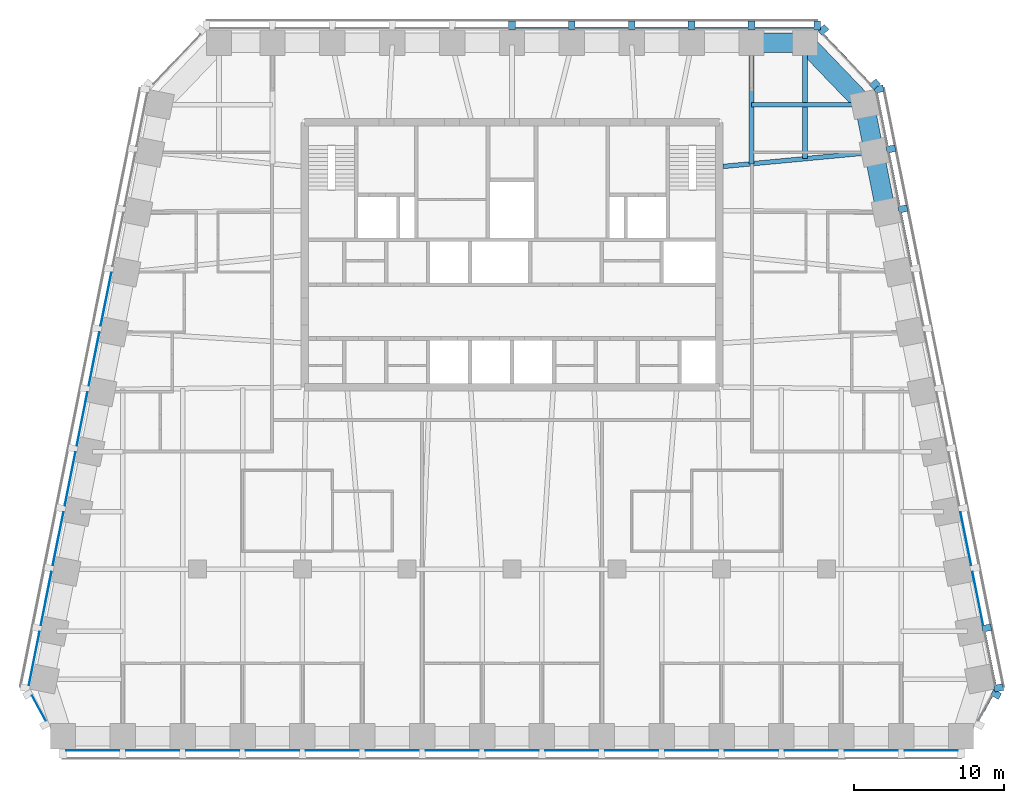
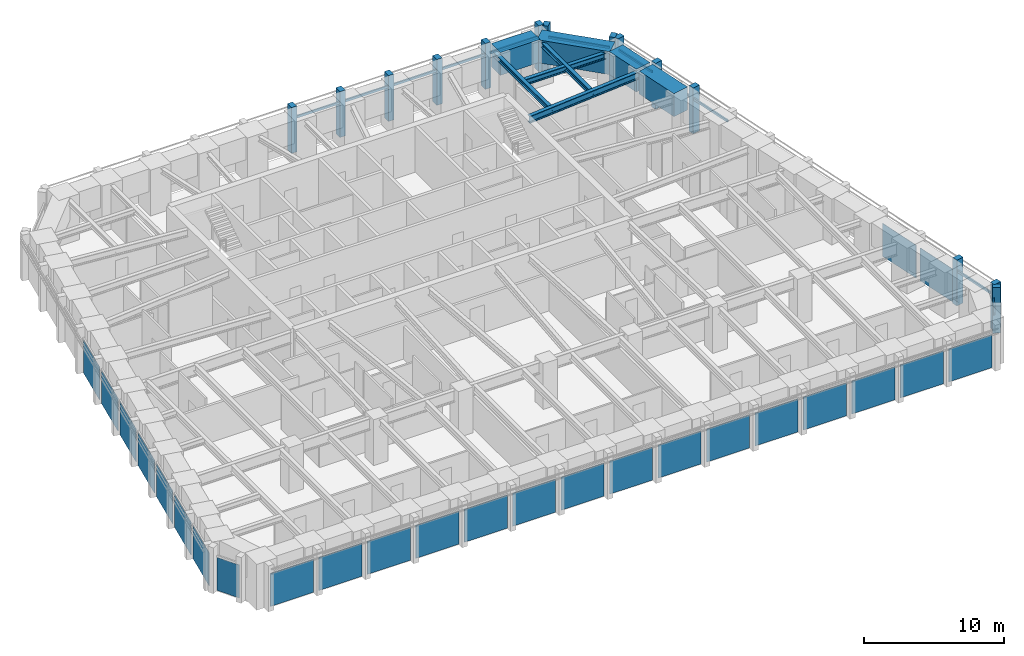
# One storey, part 4 of 11: 25 members, 25 plates, 8 beams, 7 elements without a shape of their own.
"""IFC4 building model written with IfcOpenShell, lengths in metres."""

from ifc_helpers import new_model, si_unit, direction, frame, origin, origin_2d, place, context, subcontext, project, spatial, rectangle, i_section, extrude, material, layer, layer_set, material_profile, profile_set, type_object, element, aggregate, save


model = new_model("IFC4")

# Units and contexts
model_context = context("Model", 3, precision=1e-05, world=origin(), true_north=direction((0.0, 1.0)))
body_context = subcontext(model_context, "Body", "Model", "MODEL_VIEW")
ifc_project = project(units=[si_unit("LENGTHUNIT", "METRE"), si_unit("AREAUNIT", "SQUARE_METRE"), si_unit("VOLUMEUNIT", "CUBIC_METRE"), si_unit("PLANEANGLEUNIT", "RADIAN"), si_unit("MASSUNIT", "GRAM", prefix="KILO")], contexts=[model_context])

# Site, building, storey
site_placement = place(None, origin())
site = spatial("IfcSite", under=ifc_project, at=site_placement, CompositionType="ELEMENT")
building_placement = place(site_placement, origin())
building = spatial("IfcBuilding", under=site, at=building_placement, Name="Isbrekke Arena Tower", CompositionType="ELEMENT")
storey_placement = place(building_placement, frame((0.0, 0.0, 252.0)))
storey = spatial("IfcBuildingStorey", under=building, at=storey_placement, Name="L58", CompositionType="ELEMENT", Elevation=252.0)

# Beams
ifc_material_1 = material(Name="Steel S355", Category="steel")
ifc_material_profile_1 = material_profile(ifc_material_1, i_section(OverallWidth=0.304931640625, OverallDepth=0.6201171875, WebThickness=0.02099609375, FlangeThickness=0.0400390625, FilletRadius=0.027099609375, at=origin_2d()), Name="HEM 600")
ifc_profile_set_1 = profile_set([ifc_material_profile_1], Name="Steel S355")
beam_type_1 = type_object("IfcBeamType", Name="B4 HEM 600", PredefinedType="BEAM", material=ifc_profile_set_1)
beam_1_placement = place(storey_placement, frame((24.02685546875, 21.8369140625, 3.5400390625), z_axis=(-0.995574576627, -0.093974796485, 0.0), x_axis=(0.093974796485, -0.995574576627, 0.0)))
element("IfcBeam", 1, at=beam_1_placement, inside=storey, type_object=beam_type_1, Name="B4 beam E-E10 L58", PredefinedType="BEAM", context=body_context, shape_type="SweptSolid", body=[
    extrude(i_section(OverallWidth=0.304931640625, OverallDepth=0.6201171875, WebThickness=0.02099609375, FlangeThickness=0.0400390625, FilletRadius=0.027099609375, at=origin_2d()), origin(), (0.0, 0.0, 1.0), 9.970947265625),
])
ifc_material_2 = material(Name="Steel S355", Category="steel")
ifc_material_profile_2 = material_profile(ifc_material_2, i_section(OverallWidth=0.305908203125, OverallDepth=0.52392578125, WebThickness=0.02099609375, FlangeThickness=0.0400390625, FilletRadius=0.027099609375, at=origin_2d()), Name="HEM 500")
ifc_profile_set_2 = profile_set([ifc_material_profile_2], Name="Steel S355")
beam_type_2 = type_object("IfcBeamType", Name="B5 HEM 500", PredefinedType="BEAM", material=ifc_profile_set_2)
beam_2_placement = place(storey_placement, frame((23.40283203125, 25.029296875, 3.587890625), z_axis=(-1.0, 0.0, 0.0), x_axis=(0.0, -1.0, 0.0)))
element("IfcBeam", 2, at=beam_2_placement, inside=storey, type_object=beam_type_2, Name="B5 beam E-E11 L58", PredefinedType="BEAM", context=body_context, shape_type="SweptSolid", body=[
    extrude(i_section(OverallWidth=0.305908203125, OverallDepth=0.52392578125, WebThickness=0.02099609375, FlangeThickness=0.0400390625, FilletRadius=0.027099609375, at=origin_2d()), origin(), (0.0, 0.0, 1.0), 7.40283203125),
])
ifc_material_3 = material(Name="Steel S355", Category="steel")
ifc_material_profile_3 = material_profile(ifc_material_3, i_section(OverallWidth=0.306884765625, OverallDepth=0.431884765625, WebThickness=0.02099609375, FlangeThickness=0.0400390625, FilletRadius=0.027099609375, at=origin_2d()), Name="HEM 400")
ifc_profile_set_3 = profile_set([ifc_material_profile_3], Name="Steel S355")
beam_type_3 = type_object("IfcBeamType", Name="B6 HEM 400", PredefinedType="BEAM", material=ifc_profile_set_3)
beam_3_placement = place(storey_placement, frame((19.574951171875, 29.02490234375, 3.634033203125), z_axis=(0.0, -1.0, 0.0), x_axis=(1.0, 0.0, 0.0)))
element("IfcBeam", 3, at=beam_3_placement, inside=storey, type_object=beam_type_3, Name="B6 beam N-N01 L58", PredefinedType="BEAM", context=body_context, shape_type="SweptSolid", body=[
    extrude(i_section(OverallWidth=0.306884765625, OverallDepth=0.431884765625, WebThickness=0.02099609375, FlangeThickness=0.0400390625, FilletRadius=0.027099609375, at=origin_2d()), origin(), (0.0, 0.0, 1.0), 7.608154296875),
])
beam_4_placement = place(storey_placement, frame((16.0, 29.02490234375, 3.634033203125), z_axis=(0.0, -1.0, 0.0), x_axis=(1.0, 0.0, 0.0)))
element("IfcBeam", 4, at=beam_4_placement, inside=storey, type_object=beam_type_3, Name="B6 beam N-N02 L58", PredefinedType="BEAM", context=body_context, shape_type="SweptSolid", body=[
    extrude(i_section(OverallWidth=0.306884765625, OverallDepth=0.431884765625, WebThickness=0.02099609375, FlangeThickness=0.0400390625, FilletRadius=0.027099609375, at=origin_2d()), origin(), (0.0, 0.0, 1.0), 7.945556640625),
])

# Curtain wall, member
ifc_material_4 = material(Name="Glazed aluminium curtain wall", Category="aluminium")
curtain_wall_type = type_object("IfcCurtainWallType", Name="CWT TOWER CURTAIN WALL TOP ZONE", PredefinedType="USERDEFINED", material=ifc_material_4)
curtain_wall_1_placement = place(storey_placement, origin())
curtain_wall_1 = element("IfcCurtainWall", 5, at=curtain_wall_1_placement, inside=storey, type_object=curtain_wall_type, Name="CWT curtain wall L58-SE", ObjectType="TOWER CURTAIN WALL TOP ZONE", PredefinedType="USERDEFINED")
ifc_material_5 = material(Name="Copper-clad aluminium mullion", Category="aluminium")
ifc_material_profile_4 = material_profile(ifc_material_5, rectangle(XDim=0.449951171875, YDim=0.60009765625, at=origin_2d()), Name="PIER 450X600")
ifc_profile_set_4 = profile_set([ifc_material_profile_4], Name="Copper-clad aluminium mullion")
member_type_1 = type_object("IfcMemberType", Name="CWT-M PIER MULLION 450 x 600", PredefinedType="MULLION", material=ifc_profile_set_4)
member_1_placement = place(storey_placement, frame((32.340087890625, -14.367919921875, 0.0), z_axis=(0.0, 0.0, 1.0), x_axis=(0.481918749773, 0.876215908676, 0.0)))
member_1 = element("IfcMember", 6, at=member_1_placement, type_object=member_type_1, Name="CWT-M mullion 2", PredefinedType="MULLION", context=body_context, shape_type="SweptSolid", body=[
    extrude(rectangle(XDim=0.449951171875, YDim=0.60009765625, at=origin_2d()), origin(), (0.0, 0.0, 1.0), 4.0),
])

# Curtain wall, members
curtain_wall_2_placement = place(storey_placement, origin())
curtain_wall_2 = element("IfcCurtainWall", 7, at=curtain_wall_2_placement, inside=storey, type_object=curtain_wall_type, Name="CWT curtain wall L58-E", ObjectType="TOWER CURTAIN WALL TOP ZONE", PredefinedType="USERDEFINED")
member_2_placement = place(storey_placement, frame((32.518798828125, -13.936279296875, 0.0), z_axis=(0.0, 0.0, 1.0), x_axis=(-0.196116135138, 0.980580675691, 0.0)))
member_2 = element("IfcMember", 8, at=member_2_placement, type_object=member_type_1, Name="CWT-M mullion 1", PredefinedType="MULLION", context=body_context, shape_type="SweptSolid", body=[
    extrude(rectangle(XDim=0.449951171875, YDim=0.60009765625, at=origin_2d()), origin(), (0.0, 0.0, 1.0), 4.0),
])
member_3_placement = place(storey_placement, frame((31.71875, -9.936279296875, 0.0), z_axis=(0.0, 0.0, 1.0), x_axis=(-0.196116135138, 0.980580675691, 0.0)))
member_3 = element("IfcMember", 9, at=member_3_placement, type_object=member_type_1, Name="CWT-M mullion 2", PredefinedType="MULLION", context=body_context, shape_type="SweptSolid", body=[
    extrude(rectangle(XDim=0.449951171875, YDim=0.60009765625, at=origin_2d()), origin(), (0.0, 0.0, 1.0), 4.0),
])
member_4_placement = place(storey_placement, frame((26.11865234375, 18.063720703125, 0.0), z_axis=(0.0, 0.0, 1.0), x_axis=(-0.196116135138, 0.980580675691, 0.0)))
member_4 = element("IfcMember", 10, at=member_4_placement, type_object=member_type_1, Name="CWT-M mullion 9", PredefinedType="MULLION", context=body_context, shape_type="SweptSolid", body=[
    extrude(rectangle(XDim=0.449951171875, YDim=0.60009765625, at=origin_2d()), origin(), (0.0, 0.0, 1.0), 4.0),
])
member_5_placement = place(storey_placement, frame((25.318603515625, 22.063720703125, 0.0), z_axis=(0.0, 0.0, 1.0), x_axis=(-0.196116135138, 0.980580675691, 0.0)))
member_5 = element("IfcMember", 11, at=member_5_placement, type_object=member_type_1, Name="CWT-M mullion 10", PredefinedType="MULLION", context=body_context, shape_type="SweptSolid", body=[
    extrude(rectangle(XDim=0.449951171875, YDim=0.60009765625, at=origin_2d()), origin(), (0.0, 0.0, 1.0), 4.0),
])
member_6_placement = place(storey_placement, frame((24.518798828125, 26.063720703125, 0.0), z_axis=(0.0, 0.0, 1.0), x_axis=(-0.196116135138, 0.980580675691, 0.0)))
member_6 = element("IfcMember", 12, at=member_6_placement, type_object=member_type_1, Name="CWT-M mullion 11", PredefinedType="MULLION", context=body_context, shape_type="SweptSolid", body=[
    extrude(rectangle(XDim=0.449951171875, YDim=0.60009765625, at=origin_2d()), origin(), (0.0, 0.0, 1.0), 4.0),
])

curtain_wall_3_placement = place(storey_placement, origin())
curtain_wall_3 = element("IfcCurtainWall", 13, at=curtain_wall_3_placement, inside=storey, type_object=curtain_wall_type, Name="CWT curtain wall L58-EN", ObjectType="TOWER CURTAIN WALL TOP ZONE", PredefinedType="USERDEFINED")
member_7_placement = place(storey_placement, frame((24.244384765625, 26.388671875, 0.0), z_axis=(0.0, 0.0, 1.0), x_axis=(-0.68874946192, 0.72499943359, 0.0)))
member_7 = element("IfcMember", 14, at=member_7_placement, type_object=member_type_1, Name="CWT-M mullion 1", PredefinedType="MULLION", context=body_context, shape_type="SweptSolid", body=[
    extrude(rectangle(XDim=0.449951171875, YDim=0.60009765625, at=origin_2d()), origin(), (0.0, 0.0, 1.0), 4.0),
])
member_8_placement = place(storey_placement, frame((20.795166015625, 30.019775390625, 0.0), z_axis=(0.0, 0.0, 1.0), x_axis=(-0.68874946192, 0.72499943359, 0.0)))
member_8 = element("IfcMember", 15, at=member_8_placement, type_object=member_type_1, Name="CWT-M mullion 2", PredefinedType="MULLION", context=body_context, shape_type="SweptSolid", body=[
    extrude(rectangle(XDim=0.449951171875, YDim=0.60009765625, at=origin_2d()), origin(), (0.0, 0.0, 1.0), 4.0),
])

curtain_wall_4_placement = place(storey_placement, origin())
curtain_wall_4 = element("IfcCurtainWall", 16, at=curtain_wall_4_placement, inside=storey, type_object=curtain_wall_type, Name="CWT curtain wall L58-N", ObjectType="TOWER CURTAIN WALL TOP ZONE", PredefinedType="USERDEFINED")
member_9_placement = place(storey_placement, frame((20.39990234375, 30.324951171875, 0.0), z_axis=(0.0, 0.0, 1.0), x_axis=(-1.0, 0.0, 0.0)))
member_9 = element("IfcMember", 17, at=member_9_placement, type_object=member_type_1, Name="CWT-M mullion 1", PredefinedType="MULLION", context=body_context, shape_type="SweptSolid", body=[
    extrude(rectangle(XDim=0.449951171875, YDim=0.60009765625, at=origin_2d()), origin(), (0.0, 0.0, 1.0), 4.0),
])
member_10_placement = place(storey_placement, frame((16.0, 30.324951171875, 0.0), z_axis=(0.0, 0.0, 1.0), x_axis=(-1.0, 0.0, 0.0)))
member_10 = element("IfcMember", 18, at=member_10_placement, type_object=member_type_1, Name="CWT-M mullion 2", PredefinedType="MULLION", context=body_context, shape_type="SweptSolid", body=[
    extrude(rectangle(XDim=0.449951171875, YDim=0.60009765625, at=origin_2d()), origin(), (0.0, 0.0, 1.0), 4.0),
])
member_11_placement = place(storey_placement, frame((12.0, 30.324951171875, 0.0), z_axis=(0.0, 0.0, 1.0), x_axis=(-1.0, 0.0, 0.0)))
member_11 = element("IfcMember", 19, at=member_11_placement, type_object=member_type_1, Name="CWT-M mullion 3", PredefinedType="MULLION", context=body_context, shape_type="SweptSolid", body=[
    extrude(rectangle(XDim=0.449951171875, YDim=0.60009765625, at=origin_2d()), origin(), (0.0, 0.0, 1.0), 4.0),
])
member_12_placement = place(storey_placement, frame((8.0, 30.324951171875, 0.0), z_axis=(0.0, 0.0, 1.0), x_axis=(-1.0, 0.0, 0.0)))
member_12 = element("IfcMember", 20, at=member_12_placement, type_object=member_type_1, Name="CWT-M mullion 4", PredefinedType="MULLION", context=body_context, shape_type="SweptSolid", body=[
    extrude(rectangle(XDim=0.449951171875, YDim=0.60009765625, at=origin_2d()), origin(), (0.0, 0.0, 1.0), 4.0),
])
member_13_placement = place(storey_placement, frame((4.0, 30.324951171875, 0.0), z_axis=(0.0, 0.0, 1.0), x_axis=(-1.0, 0.0, 0.0)))
member_13 = element("IfcMember", 21, at=member_13_placement, type_object=member_type_1, Name="CWT-M mullion 5", PredefinedType="MULLION", context=body_context, shape_type="SweptSolid", body=[
    extrude(rectangle(XDim=0.449951171875, YDim=0.60009765625, at=origin_2d()), origin(), (0.0, 0.0, 1.0), 4.0),
])
member_14_placement = place(storey_placement, frame((0.0, 30.324951171875, 0.0), z_axis=(0.0, 0.0, 1.0), x_axis=(-1.0, 0.0, 0.0)))
member_14 = element("IfcMember", 22, at=member_14_placement, type_object=member_type_1, Name="CWT-M mullion 6", PredefinedType="MULLION", context=body_context, shape_type="SweptSolid", body=[
    extrude(rectangle(XDim=0.449951171875, YDim=0.60009765625, at=origin_2d()), origin(), (0.0, 0.0, 1.0), 4.0),
])

# Member
ifc_material_6 = material(Name="Aluminium transom", Category="aluminium")
ifc_material_profile_5 = material_profile(ifc_material_6, rectangle(XDim=0.1201171875, YDim=0.199951171875, at=origin_2d()), Name="TRANSOM 120X200")
ifc_profile_set_5 = profile_set([ifc_material_profile_5], Name="Aluminium transom")
member_type_2 = type_object("IfcMemberType", Name="CWT-T TRANSOM 120 x 200", PredefinedType="USERDEFINED", material=ifc_profile_set_5)
member_15_placement = place(storey_placement, frame((31.152099609375, -16.112548828125, 3.0), z_axis=(0.482003669577, 0.876169197424, 0.0), x_axis=(-0.876169197424, 0.482003669577, 0.0)))
member_15 = element("IfcMember", 23, at=member_15_placement, type_object=member_type_2, Name="CWT-T transom 1", ObjectType="TRANSOM", PredefinedType="USERDEFINED", context=body_context, shape_type="SweptSolid", body=[
    extrude(rectangle(XDim=0.1201171875, YDim=0.199951171875, at=origin_2d()), origin(), (0.0, 0.0, 1.0), 1.876220703125),
])

aggregate(curtain_wall_1, [member_1, member_15])

member_16_placement = place(storey_placement, frame((32.278564453125, -13.7548828125, 3.0), z_axis=(-0.196154943734, 0.980572913173, 0.0), x_axis=(-0.980572913173, -0.196154943734, 0.0)))
member_16 = element("IfcMember", 24, at=member_16_placement, type_object=member_type_2, Name="CWT-T transom 1", ObjectType="TRANSOM", PredefinedType="USERDEFINED", context=body_context, shape_type="SweptSolid", body=[
    extrude(rectangle(XDim=0.1201171875, YDim=0.199951171875, at=origin_2d()), origin(), (0.0, 0.0, 1.0), 3.62939453125),
])

member_17_placement = place(storey_placement, frame((26.678466796875, 14.2451171875, 3.0), z_axis=(-0.196090262229, 0.980585849918, 0.0), x_axis=(-0.980585849918, -0.196090262229, 0.0)))
member_17 = element("IfcMember", 25, at=member_17_placement, type_object=member_type_2, Name="CWT-T transom 8", ObjectType="TRANSOM", PredefinedType="USERDEFINED", context=body_context, shape_type="SweptSolid", body=[
    extrude(rectangle(XDim=0.1201171875, YDim=0.199951171875, at=origin_2d()), origin(), (0.0, 0.0, 1.0), 3.62939453125),
])

member_18_placement = place(storey_placement, frame((25.87841796875, 18.2451171875, 3.0), z_axis=(-0.196090262229, 0.980585849918, 0.0), x_axis=(-0.980585849918, -0.196090262229, 0.0)))
member_18 = element("IfcMember", 26, at=member_18_placement, type_object=member_type_2, Name="CWT-T transom 9", ObjectType="TRANSOM", PredefinedType="USERDEFINED", context=body_context, shape_type="SweptSolid", body=[
    extrude(rectangle(XDim=0.1201171875, YDim=0.199951171875, at=origin_2d()), origin(), (0.0, 0.0, 1.0), 3.62939453125),
])

member_19_placement = place(storey_placement, frame((25.078369140625, 22.2451171875, 3.0), z_axis=(-0.196090262229, 0.980585849918, 0.0), x_axis=(-0.980585849918, -0.196090262229, 0.0)))
member_19 = element("IfcMember", 27, at=member_19_placement, type_object=member_type_2, Name="CWT-T transom 10", ObjectType="TRANSOM", PredefinedType="USERDEFINED", context=body_context, shape_type="SweptSolid", body=[
    extrude(rectangle(XDim=0.1201171875, YDim=0.199951171875, at=origin_2d()), origin(), (0.0, 0.0, 1.0), 3.62939453125),
])

member_20_placement = place(storey_placement, frame((23.944580078125, 26.4140625, 3.0), z_axis=(-0.688771983213, 0.724978037696, 0.0), x_axis=(-0.724978037696, -0.688771983213, 0.0)))
member_20 = element("IfcMember", 28, at=member_20_placement, type_object=member_type_2, Name="CWT-T transom 1", ObjectType="TRANSOM", PredefinedType="USERDEFINED", context=body_context, shape_type="SweptSolid", body=[
    extrude(rectangle(XDim=0.1201171875, YDim=0.199951171875, at=origin_2d()), origin(), (0.0, 0.0, 1.0), 4.558349609375),
])

aggregate(curtain_wall_3, [member_7, member_8, member_20])

member_21_placement = place(storey_placement, frame((20.175048828125, 30.125, 3.0), z_axis=(-1.0, 0.0, 0.0), x_axis=(0.0, -1.0, 0.0)))
member_21 = element("IfcMember", 29, at=member_21_placement, type_object=member_type_2, Name="CWT-T transom 1", ObjectType="TRANSOM", PredefinedType="USERDEFINED", context=body_context, shape_type="SweptSolid", body=[
    extrude(rectangle(XDim=0.1201171875, YDim=0.199951171875, at=origin_2d()), origin(), (0.0, 0.0, 1.0), 3.949951171875),
])

member_22_placement = place(storey_placement, frame((15.77490234375, 30.125, 3.0), z_axis=(-1.0, 0.0, 0.0), x_axis=(0.0, -1.0, 0.0)))
member_22 = element("IfcMember", 30, at=member_22_placement, type_object=member_type_2, Name="CWT-T transom 2", ObjectType="TRANSOM", PredefinedType="USERDEFINED", context=body_context, shape_type="SweptSolid", body=[
    extrude(rectangle(XDim=0.1201171875, YDim=0.199951171875, at=origin_2d()), origin(), (0.0, 0.0, 1.0), 3.5498046875),
])

member_23_placement = place(storey_placement, frame((11.77490234375, 30.125, 3.0), z_axis=(-1.0, 0.0, 0.0), x_axis=(0.0, -1.0, 0.0)))
member_23 = element("IfcMember", 31, at=member_23_placement, type_object=member_type_2, Name="CWT-T transom 3", ObjectType="TRANSOM", PredefinedType="USERDEFINED", context=body_context, shape_type="SweptSolid", body=[
    extrude(rectangle(XDim=0.1201171875, YDim=0.199951171875, at=origin_2d()), origin(), (0.0, 0.0, 1.0), 3.5498046875),
])

member_24_placement = place(storey_placement, frame((7.77490234375, 30.125, 3.0), z_axis=(-1.0, 0.0, 0.0), x_axis=(0.0, -1.0, 0.0)))
member_24 = element("IfcMember", 32, at=member_24_placement, type_object=member_type_2, Name="CWT-T transom 4", ObjectType="TRANSOM", PredefinedType="USERDEFINED", context=body_context, shape_type="SweptSolid", body=[
    extrude(rectangle(XDim=0.1201171875, YDim=0.199951171875, at=origin_2d()), origin(), (0.0, 0.0, 1.0), 3.5498046875),
])

member_25_placement = place(storey_placement, frame((3.77490234375, 30.125, 3.0), z_axis=(-1.0, 0.0, 0.0), x_axis=(0.0, -1.0, 0.0)))
member_25 = element("IfcMember", 33, at=member_25_placement, type_object=member_type_2, Name="CWT-T transom 5", ObjectType="TRANSOM", PredefinedType="USERDEFINED", context=body_context, shape_type="SweptSolid", body=[
    extrude(rectangle(XDim=0.1201171875, YDim=0.199951171875, at=origin_2d()), origin(), (0.0, 0.0, 1.0), 3.5498046875),
])

aggregate(curtain_wall_4, [member_9, member_10, member_11, member_12, member_13, member_14, member_21, member_22, member_23, member_24, member_25])

# Beams
ifc_material_7 = material(Name="Concrete B55 (C55/67)", Category="concrete")
ifc_material_profile_6 = material_profile(ifc_material_7, rectangle(XDim=1.300048828125, YDim=2.0, at=origin_2d()), Name="RC 1300x2000")
ifc_profile_set_6 = profile_set([ifc_material_profile_6], Name="Concrete B55 (C55/67)")
beam_type_4 = type_object("IfcBeamType", Name="SB4 RC 1300 x 2000", PredefinedType="SPANDREL", material=ifc_profile_set_6)
beam_5_placement = place(storey_placement, frame((24.961669921875, 17.9853515625, 3.0), z_axis=(-0.196128558387, 0.980578190959, 0.0), x_axis=(-0.980578190959, -0.196128558387, 0.0)))
element("IfcBeam", 34, at=beam_5_placement, inside=storey, type_object=beam_type_4, Name="SB4 spandrel E09-E10 L58", PredefinedType="SPANDREL", context=body_context, shape_type="SweptSolid", body=[
    extrude(rectangle(XDim=1.300048828125, YDim=2.0, at=origin_2d()), origin(), (0.0, 0.0, 1.0), 3.779296875),
])
beam_6_placement = place(storey_placement, frame((24.16162109375, 21.9853515625, 3.0), z_axis=(-0.196116135138, 0.980580675691, 0.0), x_axis=(-0.980580675691, -0.196116135138, 0.0)))
element("IfcBeam", 35, at=beam_6_placement, inside=storey, type_object=beam_type_4, Name="SB4 spandrel E10-E11 L58", PredefinedType="SPANDREL", context=body_context, shape_type="SweptSolid", body=[
    extrude(rectangle(XDim=1.300048828125, YDim=2.0, at=origin_2d()), origin(), (0.0, 0.0, 1.0), 2.9541015625),
])
beam_7_placement = place(storey_placement, frame((23.448974609375, 25.137451171875, 3.0), z_axis=(-0.692339547635, 0.721571861134, 0.0), x_axis=(-0.721571861134, -0.692339547635, 0.0)))
element("IfcBeam", 36, at=beam_7_placement, inside=storey, type_object=beam_type_4, Name="SB4 spandrel E11-N01 L58", PredefinedType="SPANDREL", context=body_context, shape_type="SweptSolid", body=[
    extrude(rectangle(XDim=1.300048828125, YDim=2.0, at=origin_2d()), origin(), (0.0, 0.0, 1.0), 5.4453125),
])
beam_8_placement = place(storey_placement, frame((19.425048828125, 29.175048828125, 3.0), z_axis=(-1.0, 0.0, 0.0), x_axis=(0.0, -1.0, 0.0)))
element("IfcBeam", 37, at=beam_8_placement, inside=storey, type_object=beam_type_4, Name="SB4 spandrel N01-N02 L58", PredefinedType="SPANDREL", context=body_context, shape_type="SweptSolid", body=[
    extrude(rectangle(XDim=1.300048828125, YDim=2.0, at=origin_2d()), origin(), (0.0, 0.0, 1.0), 3.275146484375),
])

# Curtain wall, plates
curtain_wall_5_placement = place(storey_placement, origin())
curtain_wall_5 = element("IfcCurtainWall", 38, at=curtain_wall_5_placement, inside=storey, type_object=curtain_wall_type, Name="CWT curtain wall L58-S", ObjectType="TOWER CURTAIN WALL TOP ZONE", PredefinedType="USERDEFINED")
ifc_material_8 = material(Name="Triple-glazed clear glass unit", Category="glass")
ifc_layer = layer(ifc_material_8, 0.031982421875)
ifc_layer_set = layer_set([ifc_layer], Name="CWT-P VISION PANEL")
plate_type = type_object("IfcPlateType", Name="CWT-P VISION PANEL", PredefinedType="CURTAIN_PANEL", material=ifc_layer_set)
plate_1_placement = place(storey_placement, frame((-28.0, -18.125, 0.02001953125), z_axis=(0.0, 0.0, 1.0), x_axis=(1.0, 0.0, 0.0)))
plate_1 = element("IfcPlate", 39, at=plate_1_placement, type_object=plate_type, Name="CWT-P panel 1", PredefinedType="CURTAIN_PANEL", context=body_context, shape_type="SweptSolid", body=[
    extrude(rectangle(XDim=3.550048828125, YDim=0.031982421875, at=origin_2d()), origin(), (0.0, 0.0, 1.0), 2.8798828125),
])
plate_2_placement = place(storey_placement, frame((-24.0, -18.125, 0.02001953125), z_axis=(0.0, 0.0, 1.0), x_axis=(1.0, 0.0, 0.0)))
plate_2 = element("IfcPlate", 40, at=plate_2_placement, type_object=plate_type, Name="CWT-P panel 2", PredefinedType="CURTAIN_PANEL", context=body_context, shape_type="SweptSolid", body=[
    extrude(rectangle(XDim=3.550048828125, YDim=0.031982421875, at=origin_2d()), origin(), (0.0, 0.0, 1.0), 2.8798828125),
])
plate_3_placement = place(storey_placement, frame((-20.0, -18.125, 0.02001953125), z_axis=(0.0, 0.0, 1.0), x_axis=(1.0, 0.0, 0.0)))
plate_3 = element("IfcPlate", 41, at=plate_3_placement, type_object=plate_type, Name="CWT-P panel 3", PredefinedType="CURTAIN_PANEL", context=body_context, shape_type="SweptSolid", body=[
    extrude(rectangle(XDim=3.550048828125, YDim=0.031982421875, at=origin_2d()), origin(), (0.0, 0.0, 1.0), 2.8798828125),
])
plate_4_placement = place(storey_placement, frame((-16.0, -18.125, 0.02001953125), z_axis=(0.0, 0.0, 1.0), x_axis=(1.0, 0.0, 0.0)))
plate_4 = element("IfcPlate", 42, at=plate_4_placement, type_object=plate_type, Name="CWT-P panel 4", PredefinedType="CURTAIN_PANEL", context=body_context, shape_type="SweptSolid", body=[
    extrude(rectangle(XDim=3.550048828125, YDim=0.031982421875, at=origin_2d()), origin(), (0.0, 0.0, 1.0), 2.8798828125),
])
plate_5_placement = place(storey_placement, frame((-12.0, -18.125, 0.02001953125), z_axis=(0.0, 0.0, 1.0), x_axis=(1.0, 0.0, 0.0)))
plate_5 = element("IfcPlate", 43, at=plate_5_placement, type_object=plate_type, Name="CWT-P panel 5", PredefinedType="CURTAIN_PANEL", context=body_context, shape_type="SweptSolid", body=[
    extrude(rectangle(XDim=3.550048828125, YDim=0.031982421875, at=origin_2d()), origin(), (0.0, 0.0, 1.0), 2.8798828125),
])
plate_6_placement = place(storey_placement, frame((-8.0, -18.125, 0.02001953125), z_axis=(0.0, 0.0, 1.0), x_axis=(1.0, 0.0, 0.0)))
plate_6 = element("IfcPlate", 44, at=plate_6_placement, type_object=plate_type, Name="CWT-P panel 6", PredefinedType="CURTAIN_PANEL", context=body_context, shape_type="SweptSolid", body=[
    extrude(rectangle(XDim=3.550048828125, YDim=0.031982421875, at=origin_2d()), origin(), (0.0, 0.0, 1.0), 2.8798828125),
])
plate_7_placement = place(storey_placement, frame((-4.0, -18.125, 0.02001953125), z_axis=(0.0, 0.0, 1.0), x_axis=(1.0, 0.0, 0.0)))
plate_7 = element("IfcPlate", 45, at=plate_7_placement, type_object=plate_type, Name="CWT-P panel 7", PredefinedType="CURTAIN_PANEL", context=body_context, shape_type="SweptSolid", body=[
    extrude(rectangle(XDim=3.550048828125, YDim=0.031982421875, at=origin_2d()), origin(), (0.0, 0.0, 1.0), 2.8798828125),
])
plate_8_placement = place(storey_placement, frame((0.0, -18.125, 0.02001953125), z_axis=(0.0, 0.0, 1.0), x_axis=(1.0, 0.0, 0.0)))
plate_8 = element("IfcPlate", 46, at=plate_8_placement, type_object=plate_type, Name="CWT-P panel 8", PredefinedType="CURTAIN_PANEL", context=body_context, shape_type="SweptSolid", body=[
    extrude(rectangle(XDim=3.550048828125, YDim=0.031982421875, at=origin_2d()), origin(), (0.0, 0.0, 1.0), 2.8798828125),
])
plate_9_placement = place(storey_placement, frame((4.0, -18.125, 0.02001953125), z_axis=(0.0, 0.0, 1.0), x_axis=(1.0, 0.0, 0.0)))
plate_9 = element("IfcPlate", 47, at=plate_9_placement, type_object=plate_type, Name="CWT-P panel 9", PredefinedType="CURTAIN_PANEL", context=body_context, shape_type="SweptSolid", body=[
    extrude(rectangle(XDim=3.550048828125, YDim=0.031982421875, at=origin_2d()), origin(), (0.0, 0.0, 1.0), 2.8798828125),
])
plate_10_placement = place(storey_placement, frame((8.0, -18.125, 0.02001953125), z_axis=(0.0, 0.0, 1.0), x_axis=(1.0, 0.0, 0.0)))
plate_10 = element("IfcPlate", 48, at=plate_10_placement, type_object=plate_type, Name="CWT-P panel 10", PredefinedType="CURTAIN_PANEL", context=body_context, shape_type="SweptSolid", body=[
    extrude(rectangle(XDim=3.550048828125, YDim=0.031982421875, at=origin_2d()), origin(), (0.0, 0.0, 1.0), 2.8798828125),
])
plate_11_placement = place(storey_placement, frame((12.0, -18.125, 0.02001953125), z_axis=(0.0, 0.0, 1.0), x_axis=(1.0, 0.0, 0.0)))
plate_11 = element("IfcPlate", 49, at=plate_11_placement, type_object=plate_type, Name="CWT-P panel 11", PredefinedType="CURTAIN_PANEL", context=body_context, shape_type="SweptSolid", body=[
    extrude(rectangle(XDim=3.550048828125, YDim=0.031982421875, at=origin_2d()), origin(), (0.0, 0.0, 1.0), 2.8798828125),
])
plate_12_placement = place(storey_placement, frame((16.0, -18.125, 0.02001953125), z_axis=(0.0, 0.0, 1.0), x_axis=(1.0, 0.0, 0.0)))
plate_12 = element("IfcPlate", 50, at=plate_12_placement, type_object=plate_type, Name="CWT-P panel 12", PredefinedType="CURTAIN_PANEL", context=body_context, shape_type="SweptSolid", body=[
    extrude(rectangle(XDim=3.550048828125, YDim=0.031982421875, at=origin_2d()), origin(), (0.0, 0.0, 1.0), 2.8798828125),
])
plate_13_placement = place(storey_placement, frame((20.0, -18.125, 0.02001953125), z_axis=(0.0, 0.0, 1.0), x_axis=(1.0, 0.0, 0.0)))
plate_13 = element("IfcPlate", 51, at=plate_13_placement, type_object=plate_type, Name="CWT-P panel 13", PredefinedType="CURTAIN_PANEL", context=body_context, shape_type="SweptSolid", body=[
    extrude(rectangle(XDim=3.550048828125, YDim=0.031982421875, at=origin_2d()), origin(), (0.0, 0.0, 1.0), 2.8798828125),
])
plate_14_placement = place(storey_placement, frame((24.0, -18.125, 0.02001953125), z_axis=(0.0, 0.0, 1.0), x_axis=(1.0, 0.0, 0.0)))
plate_14 = element("IfcPlate", 52, at=plate_14_placement, type_object=plate_type, Name="CWT-P panel 14", PredefinedType="CURTAIN_PANEL", context=body_context, shape_type="SweptSolid", body=[
    extrude(rectangle(XDim=3.550048828125, YDim=0.031982421875, at=origin_2d()), origin(), (0.0, 0.0, 1.0), 2.8798828125),
])
plate_15_placement = place(storey_placement, frame((28.0, -18.125, 0.02001953125), z_axis=(0.0, 0.0, 1.0), x_axis=(1.0, 0.0, 0.0)))
plate_15 = element("IfcPlate", 53, at=plate_15_placement, type_object=plate_type, Name="CWT-P panel 15", PredefinedType="CURTAIN_PANEL", context=body_context, shape_type="SweptSolid", body=[
    extrude(rectangle(XDim=3.550048828125, YDim=0.031982421875, at=origin_2d()), origin(), (0.0, 0.0, 1.0), 2.8798828125),
])
aggregate(curtain_wall_5, [plate_1, plate_2, plate_3, plate_4, plate_5, plate_6, plate_7, plate_8, plate_9, plate_10, plate_11, plate_12, plate_13, plate_14, plate_15])

# Plate
plate_16_placement = place(storey_placement, frame((31.12255859375, -7.9755859375, 0.02001953125), z_axis=(0.0, 0.0, 1.0), x_axis=(-0.196116135138, 0.980580675691, 0.0)))
plate_16 = element("IfcPlate", 54, at=plate_16_placement, type_object=plate_type, Name="CWT-P panel 2", PredefinedType="CURTAIN_PANEL", context=body_context, shape_type="SweptSolid", body=[
    extrude(rectangle(XDim=3.629150390625, YDim=0.031982421875, at=origin_2d()), origin(), (0.0, 0.0, 1.0), 2.8798828125),
])

plate_17_placement = place(storey_placement, frame((30.322509765625, -3.9755859375, 0.02001953125), z_axis=(0.0, 0.0, 1.0), x_axis=(-0.196116135138, 0.980580675691, 0.0)))
plate_17 = element("IfcPlate", 55, at=plate_17_placement, type_object=plate_type, Name="CWT-P panel 3", PredefinedType="CURTAIN_PANEL", context=body_context, shape_type="SweptSolid", body=[
    extrude(rectangle(XDim=3.629150390625, YDim=0.031982421875, at=origin_2d()), origin(), (0.0, 0.0, 1.0), 2.8798828125),
])

aggregate(curtain_wall_2, [member_2, member_3, member_4, member_5, member_6, member_16, plate_16, plate_17, member_17, member_18, member_19])

# Curtain wall, plates
curtain_wall_6_placement = place(storey_placement, origin())
curtain_wall_6 = element("IfcCurtainWall", 56, at=curtain_wall_6_placement, inside=storey, type_object=curtain_wall_type, Name="CWT curtain wall L58-W", ObjectType="TOWER CURTAIN WALL TOP ZONE", PredefinedType="USERDEFINED")
plate_18_placement = place(storey_placement, frame((-27.12255859375, 12.0244140625, 0.02001953125), z_axis=(0.0, 0.0, 1.0), x_axis=(-0.196116135138, -0.980580675691, 0.0)))
plate_18 = element("IfcPlate", 57, at=plate_18_placement, type_object=plate_type, Name="CWT-P panel 4", PredefinedType="CURTAIN_PANEL", context=body_context, shape_type="SweptSolid", body=[
    extrude(rectangle(XDim=3.629150390625, YDim=0.031982421875, at=origin_2d()), origin(), (0.0, 0.0, 1.0), 2.8798828125),
])
plate_19_placement = place(storey_placement, frame((-27.922607421875, 8.0244140625, 0.02001953125), z_axis=(0.0, 0.0, 1.0), x_axis=(-0.196116135138, -0.980580675691, 0.0)))
plate_19 = element("IfcPlate", 58, at=plate_19_placement, type_object=plate_type, Name="CWT-P panel 5", PredefinedType="CURTAIN_PANEL", context=body_context, shape_type="SweptSolid", body=[
    extrude(rectangle(XDim=3.629150390625, YDim=0.031982421875, at=origin_2d()), origin(), (0.0, 0.0, 1.0), 2.8798828125),
])
plate_20_placement = place(storey_placement, frame((-28.72265625, 4.0244140625, 0.02001953125), z_axis=(0.0, 0.0, 1.0), x_axis=(-0.196116135138, -0.980580675691, 0.0)))
plate_20 = element("IfcPlate", 59, at=plate_20_placement, type_object=plate_type, Name="CWT-P panel 6", PredefinedType="CURTAIN_PANEL", context=body_context, shape_type="SweptSolid", body=[
    extrude(rectangle(XDim=3.629150390625, YDim=0.031982421875, at=origin_2d()), origin(), (0.0, 0.0, 1.0), 2.8798828125),
])
plate_21_placement = place(storey_placement, frame((-29.5224609375, 0.0244140625, 0.02001953125), z_axis=(0.0, 0.0, 1.0), x_axis=(-0.196116135138, -0.980580675691, 0.0)))
plate_21 = element("IfcPlate", 60, at=plate_21_placement, type_object=plate_type, Name="CWT-P panel 7", PredefinedType="CURTAIN_PANEL", context=body_context, shape_type="SweptSolid", body=[
    extrude(rectangle(XDim=3.629150390625, YDim=0.031982421875, at=origin_2d()), origin(), (0.0, 0.0, 1.0), 2.8798828125),
])
plate_22_placement = place(storey_placement, frame((-30.322509765625, -3.9755859375, 0.02001953125), z_axis=(0.0, 0.0, 1.0), x_axis=(-0.196116135138, -0.980580675691, 0.0)))
plate_22 = element("IfcPlate", 61, at=plate_22_placement, type_object=plate_type, Name="CWT-P panel 8", PredefinedType="CURTAIN_PANEL", context=body_context, shape_type="SweptSolid", body=[
    extrude(rectangle(XDim=3.629150390625, YDim=0.031982421875, at=origin_2d()), origin(), (0.0, 0.0, 1.0), 2.8798828125),
])
plate_23_placement = place(storey_placement, frame((-31.12255859375, -7.9755859375, 0.02001953125), z_axis=(0.0, 0.0, 1.0), x_axis=(-0.196116135138, -0.980580675691, 0.0)))
plate_23 = element("IfcPlate", 62, at=plate_23_placement, type_object=plate_type, Name="CWT-P panel 9", PredefinedType="CURTAIN_PANEL", context=body_context, shape_type="SweptSolid", body=[
    extrude(rectangle(XDim=3.629150390625, YDim=0.031982421875, at=origin_2d()), origin(), (0.0, 0.0, 1.0), 2.8798828125),
])
plate_24_placement = place(storey_placement, frame((-31.922607421875, -11.9755859375, 0.02001953125), z_axis=(0.0, 0.0, 1.0), x_axis=(-0.196116135138, -0.980580675691, 0.0)))
plate_24 = element("IfcPlate", 63, at=plate_24_placement, type_object=plate_type, Name="CWT-P panel 10", PredefinedType="CURTAIN_PANEL", context=body_context, shape_type="SweptSolid", body=[
    extrude(rectangle(XDim=3.629150390625, YDim=0.031982421875, at=origin_2d()), origin(), (0.0, 0.0, 1.0), 2.8798828125),
])
aggregate(curtain_wall_6, [plate_18, plate_19, plate_20, plate_21, plate_22, plate_23, plate_24])

# Curtain wall, plate
curtain_wall_7_placement = place(storey_placement, origin())
curtain_wall_7 = element("IfcCurtainWall", 64, at=curtain_wall_7_placement, inside=storey, type_object=curtain_wall_type, Name="CWT curtain wall L58-WS", ObjectType="TOWER CURTAIN WALL TOP ZONE", PredefinedType="USERDEFINED")
plate_25_placement = place(storey_placement, frame((-31.60400390625, -15.291015625, 0.02001953125), z_axis=(0.0, 0.0, 1.0), x_axis=(0.481918749773, -0.876215908676, 0.0)))
plate_25 = element("IfcPlate", 65, at=plate_25_placement, type_object=plate_type, Name="CWT-P panel 1", PredefinedType="CURTAIN_PANEL", context=body_context, shape_type="SweptSolid", body=[
    extrude(rectangle(XDim=1.878173828125, YDim=0.031982421875, at=origin_2d()), origin(), (0.0, 0.0, 1.0), 2.8798828125),
])
aggregate(curtain_wall_7, [plate_25])

save(model, "model.ifc")
